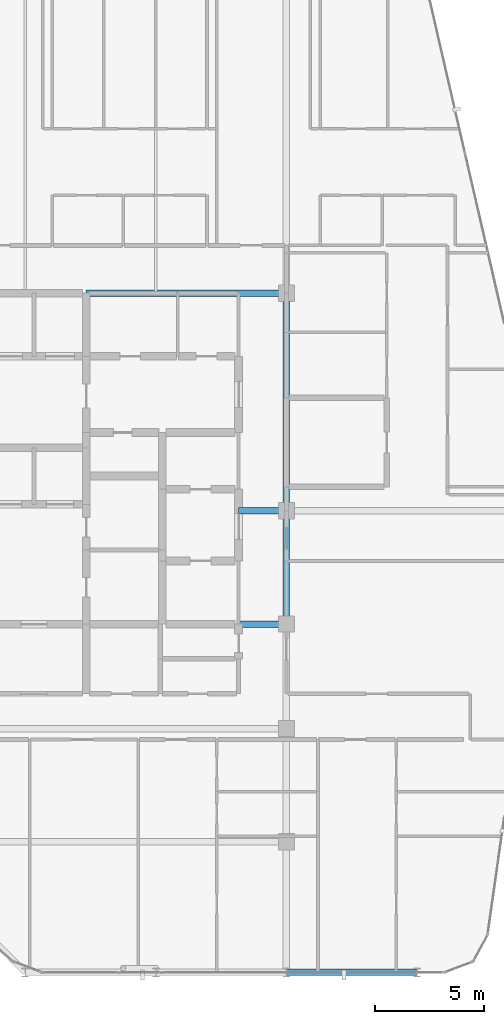
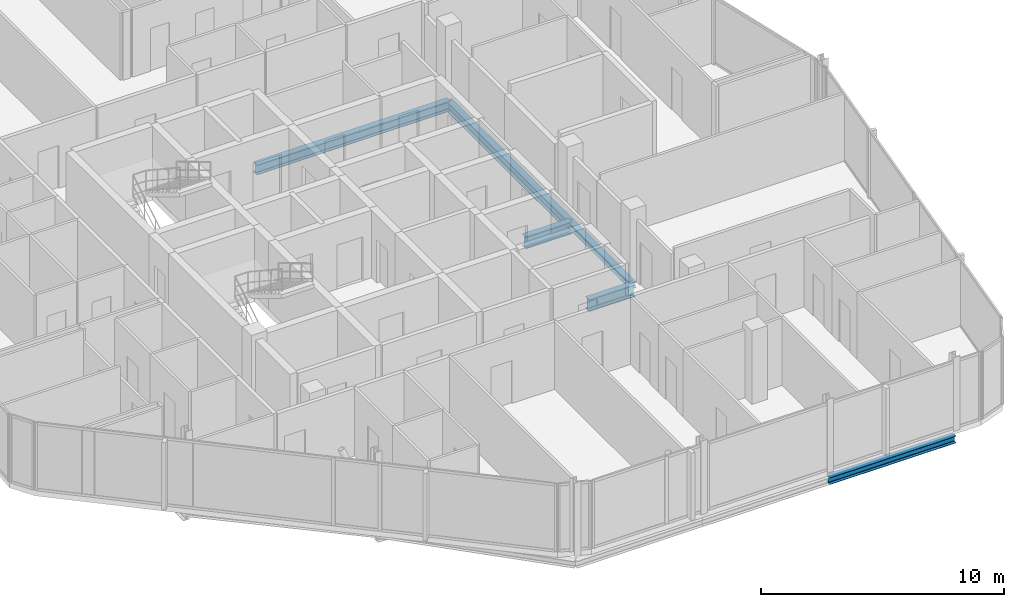
# One storey, part 11 of 28: 6 beams.
"""IFC4 building model written with IfcOpenShell, lengths in metres."""

from ifc_helpers import new_model, si_unit, direction, frame, origin, origin_2d, place, context, subcontext, project, spatial, i_section, extrude, material, material_profile, profile_set, type_object, element, save


model = new_model("IFC4")

# Units and contexts
model_context = context("Model", 3, precision=1e-05, world=origin(), true_north=direction((0.0, 1.0)))
body_context = subcontext(model_context, "Body", "Model", "MODEL_VIEW")
ifc_project = project(units=[si_unit("LENGTHUNIT", "METRE"), si_unit("AREAUNIT", "SQUARE_METRE"), si_unit("VOLUMEUNIT", "CUBIC_METRE"), si_unit("PLANEANGLEUNIT", "RADIAN"), si_unit("MASSUNIT", "GRAM", prefix="KILO")], contexts=[model_context])

# Site, building, storey
site_placement = place(None, origin())
site = spatial("IfcSite", under=ifc_project, at=site_placement, CompositionType="ELEMENT")
building_placement = place(site_placement, origin())
building = spatial("IfcBuilding", under=site, at=building_placement, Name="Keshet Zoharim Tower", CompositionType="ELEMENT")
storey_placement = place(building_placement, frame((0.0, 0.0, 265.800048828125)))
storey = spatial("IfcBuildingStorey", under=building, at=storey_placement, Name="L66", CompositionType="ELEMENT", Elevation=265.800048828125)

# Beams
ifc_material = material(Name="Steel S355", Category="steel")
ifc_material_profile_1 = material_profile(ifc_material, i_section(OverallWidth=0.300048828125, OverallDepth=0.60009765625, WebThickness=0.015380859375, FlangeThickness=0.030029296875, FilletRadius=0.027099609375, at=origin_2d()), Name="HEB600")
ifc_profile_set_1 = profile_set([ifc_material_profile_1], Name="Steel S355")
beam_type_1 = type_object("IfcBeamType", Name="BM-CLK-HB600", PredefinedType="BEAM", material=ifc_profile_set_1)
for number, where, z_axis, x_axis, name in (
    (1, (30.800048828125, 22.699951171875, -0.610107421875), (1.0, 0.0, 0.0), (0.0, 1.0, 0.0), "L66 Core Wall Link Girder 01"),
    (2, (30.800048828125, 27.89990234375, -0.610107421875), (1.0, 0.0, 0.0), (0.0, 1.0, 0.0), "L66 Core Wall Link Girder 02"),
):
    element("IfcBeam", number, at=place(storey_placement, frame(where, z_axis=z_axis, x_axis=x_axis)), inside=storey, type_object=beam_type_1, Name=name, PredefinedType="BEAM", context=body_context, shape_type="SweptSolid", body=[
        extrude(i_section(OverallWidth=0.300048828125, OverallDepth=0.60009765625, WebThickness=0.015380859375, FlangeThickness=0.030029296875, FilletRadius=0.027099609375, at=origin_2d()), origin(), (0.0, 0.0, 1.0), 2.199951171875),
    ])
ifc_material_profile_2 = material_profile(ifc_material, i_section(OverallWidth=0.300048828125, OverallDepth=0.5, WebThickness=0.014404296875, FlangeThickness=0.028076171875, FilletRadius=0.027099609375, at=origin_2d()), Name="HEB500")
ifc_profile_set_2 = profile_set([ifc_material_profile_2], Name="Steel S355")
beam_type_2 = type_object("IfcBeamType", Name="BM-MED-HB500", PredefinedType="BEAM", material=ifc_profile_set_2)
beam_1_placement = place(storey_placement, frame((23.800048828125, 37.89990234375, -0.56005859375), z_axis=(1.0, 0.0, 0.0), x_axis=(0.0, 1.0, 0.0)))
element("IfcBeam", 3, at=beam_1_placement, inside=storey, type_object=beam_type_2, Name="L66 Primary Girder X-009", PredefinedType="BEAM", context=body_context, shape_type="SweptSolid", body=[
    extrude(i_section(OverallWidth=0.300048828125, OverallDepth=0.5, WebThickness=0.014404296875, FlangeThickness=0.028076171875, FilletRadius=0.027099609375, at=origin_2d()), origin(), (0.0, 0.0, 1.0), 9.199951171875),
])
beam_2_placement = place(storey_placement, frame((33.0, 27.89990234375, -0.56005859375), z_axis=(0.0, 1.0, 0.0), x_axis=(-1.0, 0.0, 0.0)))
element("IfcBeam", 4, at=beam_2_placement, inside=storey, type_object=beam_type_2, Name="L66 Primary Girder Y-008", PredefinedType="BEAM", context=body_context, shape_type="SweptSolid", body=[
    extrude(i_section(OverallWidth=0.300048828125, OverallDepth=0.5, WebThickness=0.014404296875, FlangeThickness=0.028076171875, FilletRadius=0.027099609375, at=origin_2d()), origin(), (0.0, 0.0, 1.0), 10.0),
])
ifc_material_profile_3 = material_profile(ifc_material, i_section(OverallWidth=0.300048828125, OverallDepth=0.2900390625, WebThickness=0.008544921875, FlangeThickness=0.013916015625, FilletRadius=0.027099609375, at=origin_2d()), Name="HEA300")
ifc_profile_set_3 = profile_set([ifc_material_profile_3], Name="Steel S355")
beam_type_3 = type_object("IfcBeamType", Name="BM-PRI-HA300", PredefinedType="BEAM", material=ifc_profile_set_3)
beam_3_placement = place(storey_placement, frame((33.0, 22.699951171875, -0.455078125), z_axis=(0.0, 1.0, 0.0), x_axis=(-1.0, 0.0, 0.0)))
element("IfcBeam", 5, at=beam_3_placement, inside=storey, type_object=beam_type_3, Name="L66 Primary Girder Y-007", PredefinedType="BEAM", context=body_context, shape_type="SweptSolid", body=[
    extrude(i_section(OverallWidth=0.300048828125, OverallDepth=0.2900390625, WebThickness=0.008544921875, FlangeThickness=0.013916015625, FilletRadius=0.027099609375, at=origin_2d()), origin(), (0.0, 0.0, 1.0), 5.199951171875),
])
ifc_material_profile_4 = material_profile(ifc_material, i_section(OverallWidth=0.300048828125, OverallDepth=0.35009765625, WebThickness=0.010009765625, FlangeThickness=0.017578125, FilletRadius=0.027099609375, at=origin_2d()), Name="HEA360")
ifc_profile_set_4 = profile_set([ifc_material_profile_4], Name="Steel S355")
beam_type_4 = type_object("IfcBeamType", Name="BM-PRI-HA360", PredefinedType="BEAM", material=ifc_profile_set_4)
beam_4_placement = place(storey_placement, frame((33.0, 6.699951171875, -0.485107421875), z_axis=(1.0, 0.0, 0.0), x_axis=(0.0, 1.0, 0.0)))
element("IfcBeam", 6, at=beam_4_placement, inside=storey, type_object=beam_type_4, Name="L66 Primary Girder X-003", PredefinedType="BEAM", context=body_context, shape_type="SweptSolid", body=[
    extrude(i_section(OverallWidth=0.300048828125, OverallDepth=0.35009765625, WebThickness=0.010009765625, FlangeThickness=0.017578125, FilletRadius=0.027099609375, at=origin_2d()), origin(), (0.0, 0.0, 1.0), 6.0),
])

save(model, "model.ifc")
